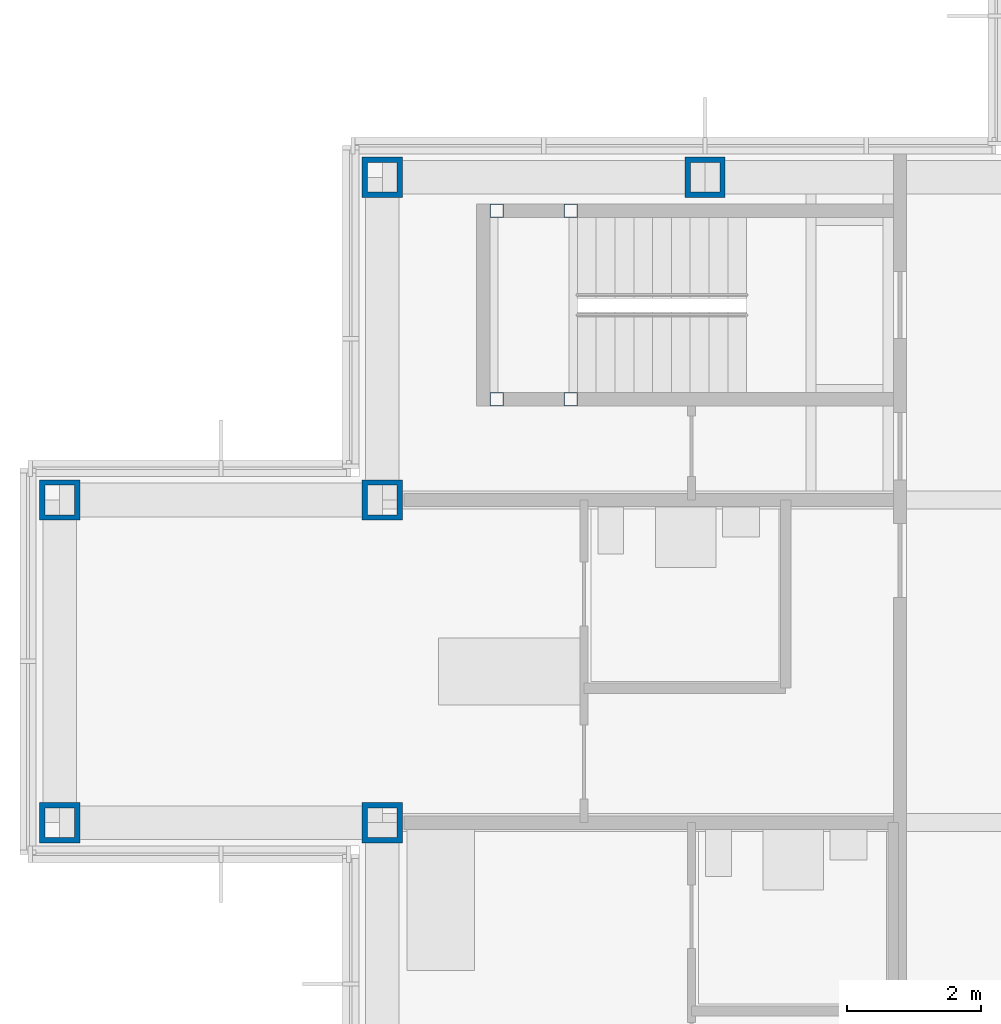
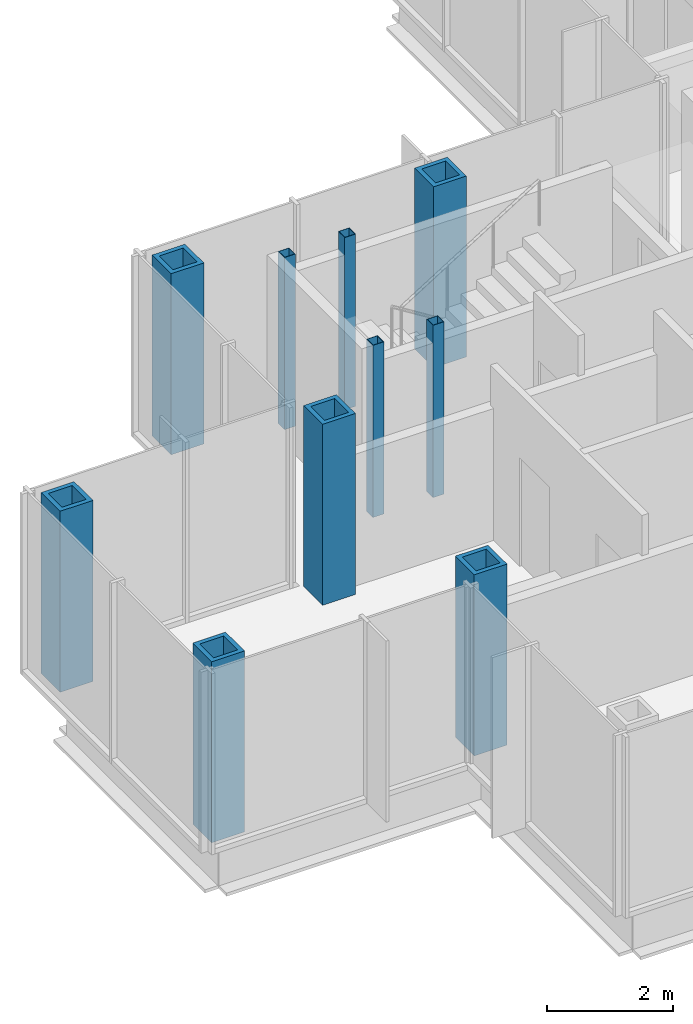
# One storey, part 3 of 17: 10 columns.
"""IFC4 building model written with IfcOpenShell, lengths in metres."""

from ifc_helpers import new_model, si_unit, direction, frame, origin, origin_2d, place, context, subcontext, project, spatial, hollow_rectangle, extrude, material, material_profile, profile_set, type_object, element, save


model = new_model("IFC4")

# Units and contexts
model_context = context("Model", 3, precision=1e-05, world=origin(), true_north=direction((0.0, 1.0)))
body_context = subcontext(model_context, "Body", "Model", "MODEL_VIEW")
ifc_project = project(units=[si_unit("LENGTHUNIT", "METRE"), si_unit("AREAUNIT", "SQUARE_METRE"), si_unit("VOLUMEUNIT", "CUBIC_METRE"), si_unit("PLANEANGLEUNIT", "RADIAN"), si_unit("MASSUNIT", "GRAM", prefix="KILO")], contexts=[model_context])

# Site, building, storey
site_placement = place(None, origin())
site = spatial("IfcSite", under=ifc_project, at=site_placement, CompositionType="ELEMENT")
building_placement = place(site_placement, origin())
building = spatial("IfcBuilding", under=site, at=building_placement, Name="Kvirike Care Tower", CompositionType="ELEMENT")
storey_placement = place(building_placement, frame((0.0, 0.0, 172.5)))
storey = spatial("IfcBuildingStorey", under=building, at=storey_placement, Name="L47", CompositionType="ELEMENT", Elevation=172.5)

# Columns
ifc_material_1 = material(Name="Steel S460", Category="steel")
ifc_material_profile_1 = material_profile(ifc_material_1, hollow_rectangle(XDim=0.60009765625, YDim=0.60009765625, WallThickness=0.080078125, at=origin_2d()), Name="BX 600x600x80")
ifc_profile_set_1 = profile_set([ifc_material_profile_1], Name="Steel S460")
column_type_1 = type_object("IfcColumnType", Name="COLUMN BX 600x600x80", PredefinedType="COLUMN", material=ifc_profile_set_1)
for number, where, z_axis, x_axis, name in (
    (1, (0.0, 33.60009765625, 0.0), (0.0, 0.0, 1.0), (0.0, 1.0, 0.0), "Column H3 L47"),
    (2, (0.0, 38.39990234375, 0.0), (0.0, 0.0, 1.0), (0.0, 1.0, 0.0), "Column J3 L47"),
    (3, (4.800048828125, 33.60009765625, 0.0), (0.0, 0.0, 1.0), (0.0, 1.0, 0.0), "Column H4 L47"),
    (4, (4.800048828125, 38.39990234375, 0.0), (0.0, 0.0, 1.0), (0.0, 1.0, 0.0), "Column J4 L47"),
    (5, (4.800048828125, 43.199951171875, 0.0), (0.0, 0.0, 1.0), (0.0, 1.0, 0.0), "Column K4 L47"),
    (6, (9.60009765625, 43.199951171875, 0.0), (0.0, 0.0, 1.0), (0.0, 1.0, 0.0), "Column K5 L47"),
):
    element("IfcColumn", number, at=place(storey_placement, frame(where, z_axis=z_axis, x_axis=x_axis)), inside=storey, type_object=column_type_1, Name=name, PredefinedType="COLUMN", context=body_context, shape_type="SweptSolid", body=[
        extrude(hollow_rectangle(XDim=0.60009765625, YDim=0.60009765625, WallThickness=0.080078125, at=origin_2d()), origin(), (0.0, 0.0, 1.0), 3.5),
    ])
ifc_material_2 = material(Name="Steel S460", Category="steel")
ifc_material_profile_2 = material_profile(ifc_material_2, hollow_rectangle(XDim=0.199951171875, YDim=0.199951171875, WallThickness=0.008056640625, at=origin_2d()), Name="SHS 200x200x8")
ifc_profile_set_2 = profile_set([ifc_material_profile_2], Name="Steel S460")
column_type_2 = type_object("IfcColumnType", Name="STAIR POST SHS 200x200x8", PredefinedType="COLUMN", material=ifc_profile_set_2)
for number, where, z_axis, x_axis, name in (
    (7, (6.5, 42.699951171875, 0.0), (0.0, 0.0, 1.0), (1.0, 0.0, 0.0), "Stair 1 post 1 L47"),
    (8, (6.5, 39.89990234375, 0.0), (0.0, 0.0, 1.0), (1.0, 0.0, 0.0), "Stair 1 post 2 L47"),
    (9, (7.60009765625, 42.699951171875, 0.0), (0.0, 0.0, 1.0), (1.0, 0.0, 0.0), "Stair 1 post 3 L47"),
    (10, (7.60009765625, 39.89990234375, 0.0), (0.0, 0.0, 1.0), (1.0, 0.0, 0.0), "Stair 1 post 4 L47"),
):
    element("IfcColumn", number, at=place(storey_placement, frame(where, z_axis=z_axis, x_axis=x_axis)), inside=storey, type_object=column_type_2, Name=name, PredefinedType="COLUMN", context=body_context, shape_type="SweptSolid", body=[
        extrude(hollow_rectangle(XDim=0.199951171875, YDim=0.199951171875, WallThickness=0.008056640625, at=origin_2d()), origin(), (0.0, 0.0, 1.0), 3.330078125),
    ])

save(model, "model.ifc")
